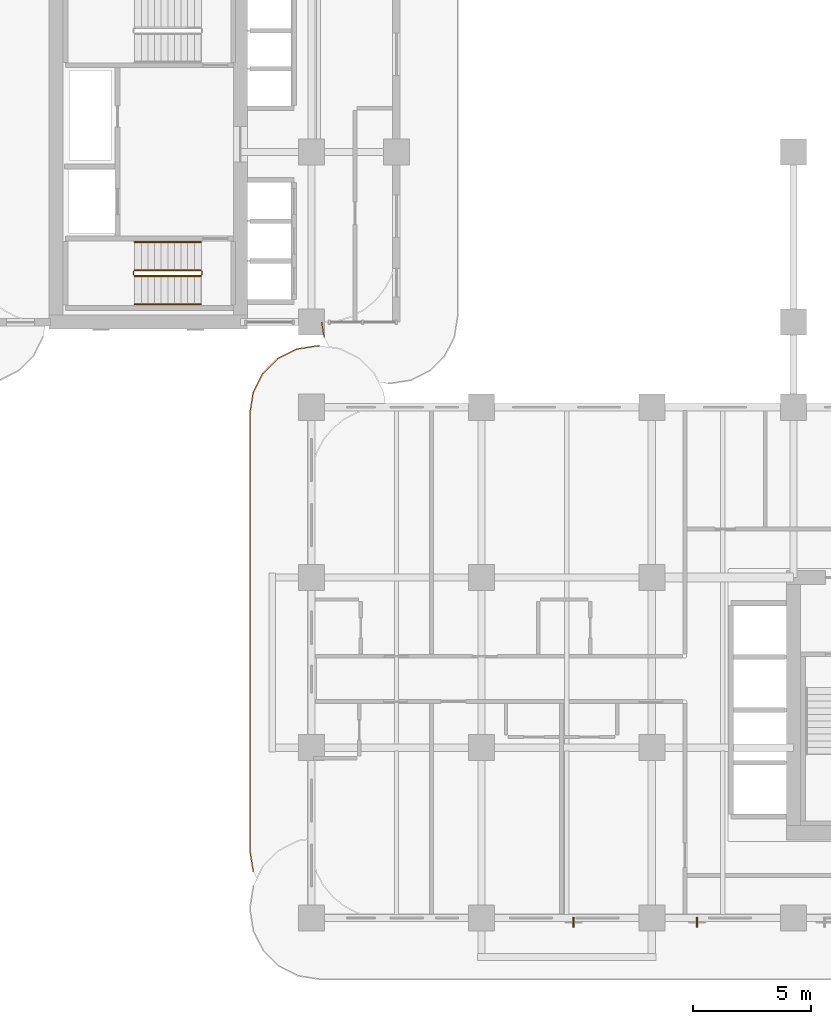
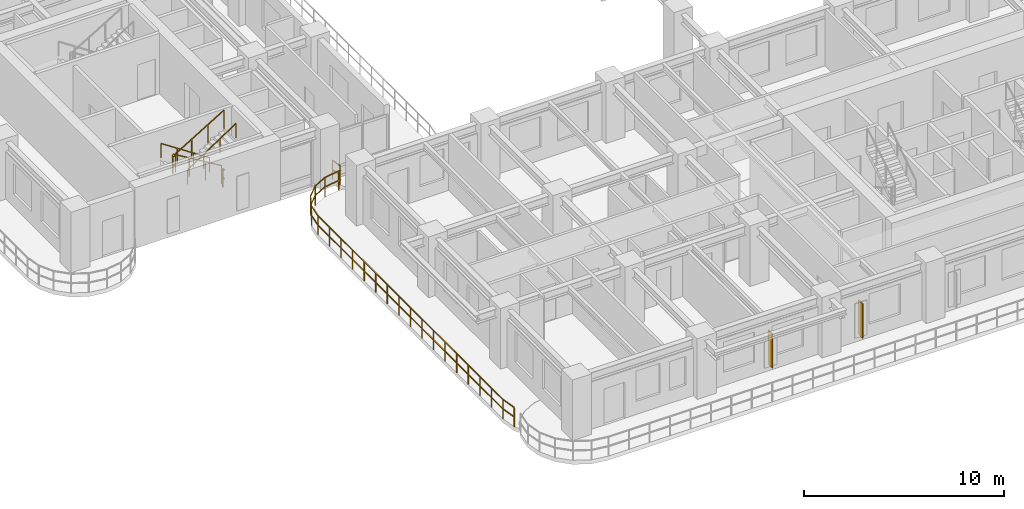
# One storey, part 13 of 19: 8 railings, 2 shading devices.
"""IFC4 building model written with IfcOpenShell, lengths in metres."""

from ifc_helpers import new_model, si_unit, derived_unit, direction, frame, origin, origin_2d, place, context, subcontext, project, spatial, rectangle, extrude, source, transform, mapped, material, layer, layer_set, type_object, type_shapes, element, save


model = new_model("IFC4")

# Units and contexts
model_context = context("Model", 3, precision=1e-05, world=origin(), true_north=direction((0.0, 1.0)))
body_context = subcontext(model_context, "Body", "Model", "MODEL_VIEW")
ifc_project = project(units=[si_unit("LENGTHUNIT", "METRE"), si_unit("AREAUNIT", "SQUARE_METRE"), si_unit("VOLUMEUNIT", "CUBIC_METRE"), si_unit("PLANEANGLEUNIT", "RADIAN"), si_unit("MASSUNIT", "GRAM", prefix="KILO"), si_unit("THERMODYNAMICTEMPERATUREUNIT", "KELVIN"), si_unit("POWERUNIT", "WATT"), derived_unit("THERMALTRANSMITTANCEUNIT", [(si_unit("POWERUNIT", "WATT"), 1), (si_unit("AREAUNIT", "SQUARE_METRE"), -1), (si_unit("THERMODYNAMICTEMPERATUREUNIT", "KELVIN"), -1)])], contexts=[model_context])

# Site, building, storey
site_placement = place(None, origin())
site = spatial("IfcSite", under=ifc_project, at=site_placement, CompositionType="ELEMENT")
building_placement = place(site_placement, origin())
building = spatial("IfcBuilding", under=site, at=building_placement, Name="Zahravan Archway Hotel and Residences", CompositionType="ELEMENT")
storey_placement = place(building_placement, frame((0.0, 0.0, 32.39990234375)))
storey = spatial("IfcBuildingStorey", under=building, at=storey_placement, Name="L06", CompositionType="ELEMENT", Elevation=32.39990234375)

# Railings
ifc_material_1 = material(Name="Bronze & Laminated Glass Balustrade", Category="glass")
railing_type_1 = type_object("IfcRailingType", Name="RL-BAL-1200", PredefinedType="BALUSTRADE", material=ifc_material_1)
railing_1_placement = place(storey_placement, frame((11.939453125, 1.96923828125, 0.0)))
element("IfcRailing", 1, at=railing_1_placement, inside=storey, type_object=railing_type_1, Name="L06 Balustrade RL-SLB-BAL-L06-WA-1", PredefinedType="BALUSTRADE", context=body_context, shape_type="SweptSolid", body=[
    extrude(rectangle(XDim=0.048095703125, YDim=0.048095703125, at=origin_2d()), frame((0.0, 0.0, 1.17578125), z_axis=(-0.156314005608, 0.987707411965, 0.0), x_axis=(-0.987707411965, -0.156314005608, 0.0)), (0.0, 0.0, 1.0), 0.891845703125),
    extrude(rectangle(XDim=0.048095703125, YDim=0.048095703125, at=origin_2d()), frame((0.0, 0.0, 0.60009765625), z_axis=(-0.156314005608, 0.987707411965, 0.0), x_axis=(-0.987707411965, -0.156314005608, 0.0)), (0.0, 0.0, 1.0), 0.891845703125),
    extrude(rectangle(XDim=0.048095703125, YDim=0.048095703125, at=origin_2d()), frame((-0.139404296875, 0.880859375, 1.17578125), z_axis=(0.0, 1.0, 0.0), x_axis=(-1.0, 0.0, 0.0)), (0.0, 0.0, 1.0), 18.5),
    extrude(rectangle(XDim=0.048095703125, YDim=0.048095703125, at=origin_2d()), frame((-0.139404296875, 0.880859375, 0.60009765625), z_axis=(0.0, 1.0, 0.0), x_axis=(-1.0, 0.0, 0.0)), (0.0, 0.0, 1.0), 18.5),
    extrude(rectangle(XDim=0.048095703125, YDim=0.048095703125, at=origin_2d()), frame((-0.139404296875, 19.380859375, 1.17578125), z_axis=(0.156356282588, 0.987700720307, 0.0), x_axis=(-0.987700720307, 0.156356282588, 0.0)), (0.0, 0.0, 1.0), 0.8916015625),
    extrude(rectangle(XDim=0.048095703125, YDim=0.048095703125, at=origin_2d()), frame((-0.139404296875, 19.380859375, 0.60009765625), z_axis=(0.156356282588, 0.987700720307, 0.0), x_axis=(-0.987700720307, 0.156356282588, 0.0)), (0.0, 0.0, 1.0), 0.8916015625),
    extrude(rectangle(XDim=0.048095703125, YDim=0.048095703125, at=origin_2d()), frame((0.0, 20.261474609375, 1.17578125), z_axis=(0.453991409995, 0.891006060389, 0.0), x_axis=(-0.891006060389, 0.453991409995, 0.0)), (0.0, 0.0, 1.0), 0.8916015625),
    extrude(rectangle(XDim=0.048095703125, YDim=0.048095703125, at=origin_2d()), frame((0.0, 20.261474609375, 0.60009765625), z_axis=(0.453991409995, 0.891006060389, 0.0), x_axis=(-0.891006060389, 0.453991409995, 0.0)), (0.0, 0.0, 1.0), 0.8916015625),
    extrude(rectangle(XDim=0.048095703125, YDim=0.048095703125, at=origin_2d()), frame((0.40478515625, 21.055908203125, 1.17578125), z_axis=(0.707106781187, 0.707106781187, 0.0), x_axis=(-0.707106781187, 0.707106781187, 0.0)), (0.0, 0.0, 1.0), 0.891845703125),
    extrude(rectangle(XDim=0.048095703125, YDim=0.048095703125, at=origin_2d()), frame((0.40478515625, 21.055908203125, 0.60009765625), z_axis=(0.707106781187, 0.707106781187, 0.0), x_axis=(-0.707106781187, 0.707106781187, 0.0)), (0.0, 0.0, 1.0), 0.891845703125),
    extrude(rectangle(XDim=0.048095703125, YDim=0.048095703125, at=origin_2d()), frame((1.035400390625, 21.6865234375, 1.17578125), z_axis=(0.891006060389, 0.453991409995, 0.0), x_axis=(-0.453991409995, 0.891006060389, 0.0)), (0.0, 0.0, 1.0), 0.8916015625),
    extrude(rectangle(XDim=0.048095703125, YDim=0.048095703125, at=origin_2d()), frame((1.035400390625, 21.6865234375, 0.60009765625), z_axis=(0.891006060389, 0.453991409995, 0.0), x_axis=(-0.453991409995, 0.891006060389, 0.0)), (0.0, 0.0, 1.0), 0.8916015625),
    extrude(rectangle(XDim=0.048095703125, YDim=0.048095703125, at=origin_2d()), frame((1.829833984375, 22.09130859375, 1.17578125), z_axis=(0.987700720307, 0.156356282588, 0.0), x_axis=(-0.156356282588, 0.987700720307, 0.0)), (0.0, 0.0, 1.0), 0.8916015625),
    extrude(rectangle(XDim=0.048095703125, YDim=0.048095703125, at=origin_2d()), frame((1.829833984375, 22.09130859375, 0.60009765625), z_axis=(0.987700720307, 0.156356282588, 0.0), x_axis=(-0.156356282588, 0.987700720307, 0.0)), (0.0, 0.0, 1.0), 0.8916015625),
    extrude(rectangle(XDim=0.048095703125, YDim=0.048095703125, at=origin_2d()), frame((2.71044921875, 22.230712890625, 1.17578125), z_axis=(1.0, 0.0, 0.0), x_axis=(0.0, 1.0, 0.0)), (0.0, 0.0, 1.0), 0.10009765625),
    extrude(rectangle(XDim=0.048095703125, YDim=0.048095703125, at=origin_2d()), frame((2.71044921875, 22.230712890625, 0.60009765625), z_axis=(1.0, 0.0, 0.0), x_axis=(0.0, 1.0, 0.0)), (0.0, 0.0, 1.0), 0.10009765625),
    extrude(rectangle(XDim=0.0419921875, YDim=0.0419921875, at=origin_2d()), origin(), (0.0, 0.0, 1.0), 1.15185546875),
    extrude(rectangle(XDim=0.0419921875, YDim=0.0419921875, at=origin_2d()), frame((-0.139404296875, 0.880859375, 0.0)), (0.0, 0.0, 1.0), 1.15185546875),
    extrude(rectangle(XDim=0.0419921875, YDim=0.0419921875, at=origin_2d()), frame((-0.139404296875, 2.037109375, 0.0)), (0.0, 0.0, 1.0), 1.15185546875),
    extrude(rectangle(XDim=0.0419921875, YDim=0.0419921875, at=origin_2d()), frame((-0.139404296875, 3.193359375, 0.0)), (0.0, 0.0, 1.0), 1.15185546875),
    extrude(rectangle(XDim=0.0419921875, YDim=0.0419921875, at=origin_2d()), frame((-0.139404296875, 4.349609375, 0.0)), (0.0, 0.0, 1.0), 1.15185546875),
    extrude(rectangle(XDim=0.0419921875, YDim=0.0419921875, at=origin_2d()), frame((-0.139404296875, 5.505859375, 0.0)), (0.0, 0.0, 1.0), 1.15185546875),
    extrude(rectangle(XDim=0.0419921875, YDim=0.0419921875, at=origin_2d()), frame((-0.139404296875, 6.662109375, 0.0)), (0.0, 0.0, 1.0), 1.15185546875),
    extrude(rectangle(XDim=0.0419921875, YDim=0.0419921875, at=origin_2d()), frame((-0.139404296875, 7.818359375, 0.0)), (0.0, 0.0, 1.0), 1.15185546875),
    extrude(rectangle(XDim=0.0419921875, YDim=0.0419921875, at=origin_2d()), frame((-0.139404296875, 8.974609375, 0.0)), (0.0, 0.0, 1.0), 1.15185546875),
    extrude(rectangle(XDim=0.0419921875, YDim=0.0419921875, at=origin_2d()), frame((-0.139404296875, 10.130859375, 0.0)), (0.0, 0.0, 1.0), 1.15185546875),
    extrude(rectangle(XDim=0.0419921875, YDim=0.0419921875, at=origin_2d()), frame((-0.139404296875, 11.287109375, 0.0)), (0.0, 0.0, 1.0), 1.15185546875),
    extrude(rectangle(XDim=0.0419921875, YDim=0.0419921875, at=origin_2d()), frame((-0.139404296875, 12.443359375, 0.0)), (0.0, 0.0, 1.0), 1.15185546875),
    extrude(rectangle(XDim=0.0419921875, YDim=0.0419921875, at=origin_2d()), frame((-0.139404296875, 13.599609375, 0.0)), (0.0, 0.0, 1.0), 1.15185546875),
    extrude(rectangle(XDim=0.0419921875, YDim=0.0419921875, at=origin_2d()), frame((-0.139404296875, 14.755859375, 0.0)), (0.0, 0.0, 1.0), 1.15185546875),
    extrude(rectangle(XDim=0.0419921875, YDim=0.0419921875, at=origin_2d()), frame((-0.139404296875, 15.912109375, 0.0)), (0.0, 0.0, 1.0), 1.15185546875),
    extrude(rectangle(XDim=0.0419921875, YDim=0.0419921875, at=origin_2d()), frame((-0.139404296875, 17.068359375, 0.0)), (0.0, 0.0, 1.0), 1.15185546875),
    extrude(rectangle(XDim=0.0419921875, YDim=0.0419921875, at=origin_2d()), frame((-0.139404296875, 18.224609375, 0.0)), (0.0, 0.0, 1.0), 1.15185546875),
    extrude(rectangle(XDim=0.0419921875, YDim=0.0419921875, at=origin_2d()), frame((-0.139404296875, 19.380859375, 0.0)), (0.0, 0.0, 1.0), 1.15185546875),
    extrude(rectangle(XDim=0.0419921875, YDim=0.0419921875, at=origin_2d()), frame((0.0, 20.261474609375, 0.0)), (0.0, 0.0, 1.0), 1.15185546875),
    extrude(rectangle(XDim=0.0419921875, YDim=0.0419921875, at=origin_2d()), frame((0.40478515625, 21.055908203125, 0.0)), (0.0, 0.0, 1.0), 1.15185546875),
    extrude(rectangle(XDim=0.0419921875, YDim=0.0419921875, at=origin_2d()), frame((1.035400390625, 21.6865234375, 0.0)), (0.0, 0.0, 1.0), 1.15185546875),
    extrude(rectangle(XDim=0.0419921875, YDim=0.0419921875, at=origin_2d()), frame((1.829833984375, 22.09130859375, 0.0)), (0.0, 0.0, 1.0), 1.15185546875),
    extrude(rectangle(XDim=0.0419921875, YDim=0.0419921875, at=origin_2d()), frame((2.71044921875, 22.230712890625, 0.0)), (0.0, 0.0, 1.0), 1.15185546875),
])
railing_2_placement = place(storey_placement, frame((14.939453125, 24.5693359375, 0.0)))
element("IfcRailing", 2, at=railing_2_placement, inside=storey, type_object=railing_type_1, Name="L06 Balustrade RL-SLB-BAL-L06-EB-1", PredefinedType="BALUSTRADE", context=body_context, shape_type="SweptSolid", body=[
    extrude(rectangle(XDim=0.048095703125, YDim=0.048095703125, at=origin_2d()), frame((0.0, 0.0, 1.17578125), z_axis=(-0.156388432473, 0.987695630338, 0.0), x_axis=(-0.987695630338, -0.156388432473, 0.0)), (0.0, 0.0, 1.0), 0.6181640625),
    extrude(rectangle(XDim=0.048095703125, YDim=0.048095703125, at=origin_2d()), frame((0.0, 0.0, 0.60009765625), z_axis=(-0.156388432473, 0.987695630338, 0.0), x_axis=(-0.987695630338, -0.156388432473, 0.0)), (0.0, 0.0, 1.0), 0.6181640625),
    extrude(rectangle(XDim=0.0419921875, YDim=0.0419921875, at=origin_2d()), origin(), (0.0, 0.0, 1.0), 1.15185546875),
    extrude(rectangle(XDim=0.0419921875, YDim=0.0419921875, at=origin_2d()), frame((-0.0966796875, 0.610595703125, 0.0)), (0.0, 0.0, 1.0), 1.15185546875),
])
ifc_material_2 = material(Name="Painted Tubular Steel", Category="steel")
railing_type_2 = type_object("IfcRailingType", Name="RL-STG-1150", PredefinedType="GUARDRAIL", material=ifc_material_2)
railing_3_placement = place(storey_placement, frame((9.72998046875, 27.389892578125, 0.168212890625)))
element("IfcRailing", 3, at=railing_3_placement, inside=storey, type_object=railing_type_2, Name="L06 ST-B1 stair guard 1", PredefinedType="GUARDRAIL", context=body_context, shape_type="SweptSolid", body=[
    extrude(rectangle(XDim=0.048095703125, YDim=0.048095703125, at=origin_2d()), frame((0.0, 0.0, 1.1259765625), z_axis=(-0.857242210791, 0.0, 0.514913383045), x_axis=(0.0, -1.0, 0.0)), (0.0, 0.0, 1.0), 3.266357421875),
    extrude(rectangle(XDim=0.0419921875, YDim=0.0419921875, at=origin_2d()), origin(), (0.0, 0.0, 1.0), 1.101806640625),
    extrude(rectangle(XDim=0.0419921875, YDim=0.0419921875, at=origin_2d()), frame((-0.933349609375, 0.0, 0.560546875)), (0.0, 0.0, 1.0), 1.101806640625),
    extrude(rectangle(XDim=0.0419921875, YDim=0.0419921875, at=origin_2d()), frame((-1.86669921875, 0.0, 1.121337890625)), (0.0, 0.0, 1.0), 1.101806640625),
    extrude(rectangle(XDim=0.0419921875, YDim=0.0419921875, at=origin_2d()), frame((-2.800048828125, 0.0, 1.681884765625)), (0.0, 0.0, 1.0), 1.101806640625),
])
railing_4_placement = place(storey_placement, frame((6.8798828125, 27.340087890625, 1.85009765625)))
element("IfcRailing", 4, at=railing_4_placement, inside=storey, type_object=railing_type_2, Name="L06 ST-B1 stair guard 2", PredefinedType="GUARDRAIL", context=body_context, shape_type="SweptSolid", body=[
    extrude(rectangle(XDim=0.048095703125, YDim=0.048095703125, at=origin_2d()), frame((0.0, 0.0, 1.1259765625), z_axis=(0.0, -1.0, 0.0), x_axis=(1.0, 0.0, 0.0)), (0.0, 0.0, 1.0), 0.14013671875),
    extrude(rectangle(XDim=0.048095703125, YDim=0.048095703125, at=origin_2d()), frame((0.0, 0.0, 0.574951171875), z_axis=(0.0, -1.0, 0.0), x_axis=(1.0, 0.0, 0.0)), (0.0, 0.0, 1.0), 0.14013671875),
    extrude(rectangle(XDim=0.0419921875, YDim=0.0419921875, at=origin_2d()), origin(), (0.0, 0.0, 1.0), 1.101806640625),
])
railing_5_placement = place(storey_placement, frame((6.929931640625, 27.14990234375, 2.018310546875)))
element("IfcRailing", 5, at=railing_5_placement, inside=storey, type_object=railing_type_2, Name="L06 ST-B1 stair guard 3", PredefinedType="GUARDRAIL", context=body_context, shape_type="SweptSolid", body=[
    extrude(rectangle(XDim=0.048095703125, YDim=0.048095703125, at=origin_2d()), frame((0.0, 0.0, 1.1259765625), z_axis=(0.857242210791, 0.0, 0.514913383045), x_axis=(0.0, 1.0, 0.0)), (0.0, 0.0, 1.0), 3.266357421875),
    extrude(rectangle(XDim=0.0419921875, YDim=0.0419921875, at=origin_2d()), origin(), (0.0, 0.0, 1.0), 1.101806640625),
    extrude(rectangle(XDim=0.0419921875, YDim=0.0419921875, at=origin_2d()), frame((0.933349609375, 0.0, 0.560546875)), (0.0, 0.0, 1.0), 1.101806640625),
    extrude(rectangle(XDim=0.0419921875, YDim=0.0419921875, at=origin_2d()), frame((1.86669921875, 0.0, 1.121337890625)), (0.0, 0.0, 1.0), 1.101806640625),
    extrude(rectangle(XDim=0.0419921875, YDim=0.0419921875, at=origin_2d()), frame((2.800048828125, 0.0, 1.681884765625)), (0.0, 0.0, 1.0), 1.101806640625),
])
railing_6_placement = place(storey_placement, frame((9.780029296875, 27.340087890625, 0.0)))
element("IfcRailing", 6, at=railing_6_placement, inside=storey, type_object=railing_type_2, Name="L06 ST-B1 stair guard 4", PredefinedType="GUARDRAIL", context=body_context, shape_type="SweptSolid", body=[
    extrude(rectangle(XDim=0.048095703125, YDim=0.048095703125, at=origin_2d()), frame((0.0, 0.0, 1.1259765625), z_axis=(0.0, -1.0, 0.0), x_axis=(1.0, 0.0, 0.0)), (0.0, 0.0, 1.0), 0.14013671875),
    extrude(rectangle(XDim=0.048095703125, YDim=0.048095703125, at=origin_2d()), frame((0.0, 0.0, 0.574951171875), z_axis=(0.0, -1.0, 0.0), x_axis=(1.0, 0.0, 0.0)), (0.0, 0.0, 1.0), 0.14013671875),
    extrude(rectangle(XDim=0.0419921875, YDim=0.0419921875, at=origin_2d()), origin(), (0.0, 0.0, 1.0), 1.101806640625),
])
ifc_material_3 = material(Name="Brushed Stainless Steel", Category="steel")
railing_type_3 = type_object("IfcRailingType", Name="RL-STH-900", PredefinedType="HANDRAIL", material=ifc_material_3)
railing_7_placement = place(storey_placement, frame((9.72998046875, 28.590087890625, 0.168212890625)))
element("IfcRailing", 7, at=railing_7_placement, inside=storey, type_object=railing_type_3, Name="L06 ST-B1 stair handrail 1", PredefinedType="HANDRAIL", context=body_context, shape_type="SweptSolid", body=[
    extrude(rectangle(XDim=0.048095703125, YDim=0.048095703125, at=origin_2d()), frame((0.0, 0.0, 0.8759765625), z_axis=(-0.834326358476, 0.0, 0.551270829586), x_axis=(0.0, -1.0, 0.0)), (0.0, 0.0, 1.0), 3.35595703125),
    extrude(rectangle(XDim=0.0419921875, YDim=0.0419921875, at=origin_2d()), origin(), (0.0, 0.0, 1.0), 0.851806640625),
    extrude(rectangle(XDim=0.0419921875, YDim=0.0419921875, at=origin_2d()), frame((-0.933349609375, 0.0, 0.61669921875)), (0.0, 0.0, 1.0), 0.851806640625),
    extrude(rectangle(XDim=0.0419921875, YDim=0.0419921875, at=origin_2d()), frame((-1.86669921875, 0.0, 1.2333984375)), (0.0, 0.0, 1.0), 0.851806640625),
    extrude(rectangle(XDim=0.0419921875, YDim=0.0419921875, at=origin_2d()), frame((-2.800048828125, 0.0, 1.85009765625)), (0.0, 0.0, 1.0), 0.851806640625),
])
railing_8_placement = place(storey_placement, frame((6.929931640625, 25.949951171875, 2.018310546875)))
element("IfcRailing", 8, at=railing_8_placement, inside=storey, type_object=railing_type_3, Name="L06 ST-B1 stair handrail 2", PredefinedType="HANDRAIL", context=body_context, shape_type="SweptSolid", body=[
    extrude(rectangle(XDim=0.048095703125, YDim=0.048095703125, at=origin_2d()), frame((0.0, 0.0, 0.8759765625), z_axis=(0.83435981716, 0.0, 0.551220187865), x_axis=(0.0, 1.0, 0.0)), (0.0, 0.0, 1.0), 3.35595703125),
    extrude(rectangle(XDim=0.0419921875, YDim=0.0419921875, at=origin_2d()), origin(), (0.0, 0.0, 1.0), 0.851806640625),
    extrude(rectangle(XDim=0.0419921875, YDim=0.0419921875, at=origin_2d()), frame((0.933349609375, 0.0, 0.61669921875)), (0.0, 0.0, 1.0), 0.851806640625),
    extrude(rectangle(XDim=0.0419921875, YDim=0.0419921875, at=origin_2d()), frame((1.86669921875, 0.0, 1.233154296875)), (0.0, 0.0, 1.0), 0.851806640625),
    extrude(rectangle(XDim=0.0419921875, YDim=0.0419921875, at=origin_2d()), frame((2.800048828125, 0.0, 1.849853515625)), (0.0, 0.0, 1.0), 0.851806640625),
])

# Shading devices
ifc_material_4 = material(Name="Terracotta & Bronze Solar Brise-Soleil", Category="masonry")
ifc_layer = layer(ifc_material_4, 0.06005859375, Name="Terracotta & Bronze Solar Brise-Soleil", Category="masonry")
ifc_layer_set = layer_set([ifc_layer], Name="Terracotta & Bronze Solar Brise-Soleil")
shading_device_type = type_object("IfcShadingDeviceType", Name="SHD-MASH-FIN", PredefinedType="JALOUSIE", material=ifc_layer_set)
shared_shape = source(origin(), body_context, "Body", "SweptSolid", [
    extrude(rectangle(XDim=0.06005859375, YDim=0.419921875, at=origin_2d()), origin(), (0.0, 0.0, 1.0), 2.10009765625),
])
type_shapes(shading_device_type, [shared_shape])
for number, where, z_axis, x_axis, name in (
    (9, (25.493896484375, -0.177978515625, 0.25), (0.0, 0.0, 1.0), (1.0, 0.0, 0.0), "L06 Solar Mashrabiya Fin 01"),
    (10, (30.7080078125, -0.177978515625, 0.25), (0.0, 0.0, 1.0), (1.0, 0.0, 0.0), "L06 Solar Mashrabiya Fin 02"),
):
    element("IfcShadingDevice", number, at=place(storey_placement, frame(where, z_axis=z_axis, x_axis=x_axis)), inside=storey, type_object=shading_device_type, Name=name, PredefinedType="JALOUSIE", context=body_context, shape_type="MappedRepresentation", body=[
        mapped(shared_shape, transform((0.0, 0.0, 0.0), scale=1.0)),
    ])

save(model, "model.ifc")
